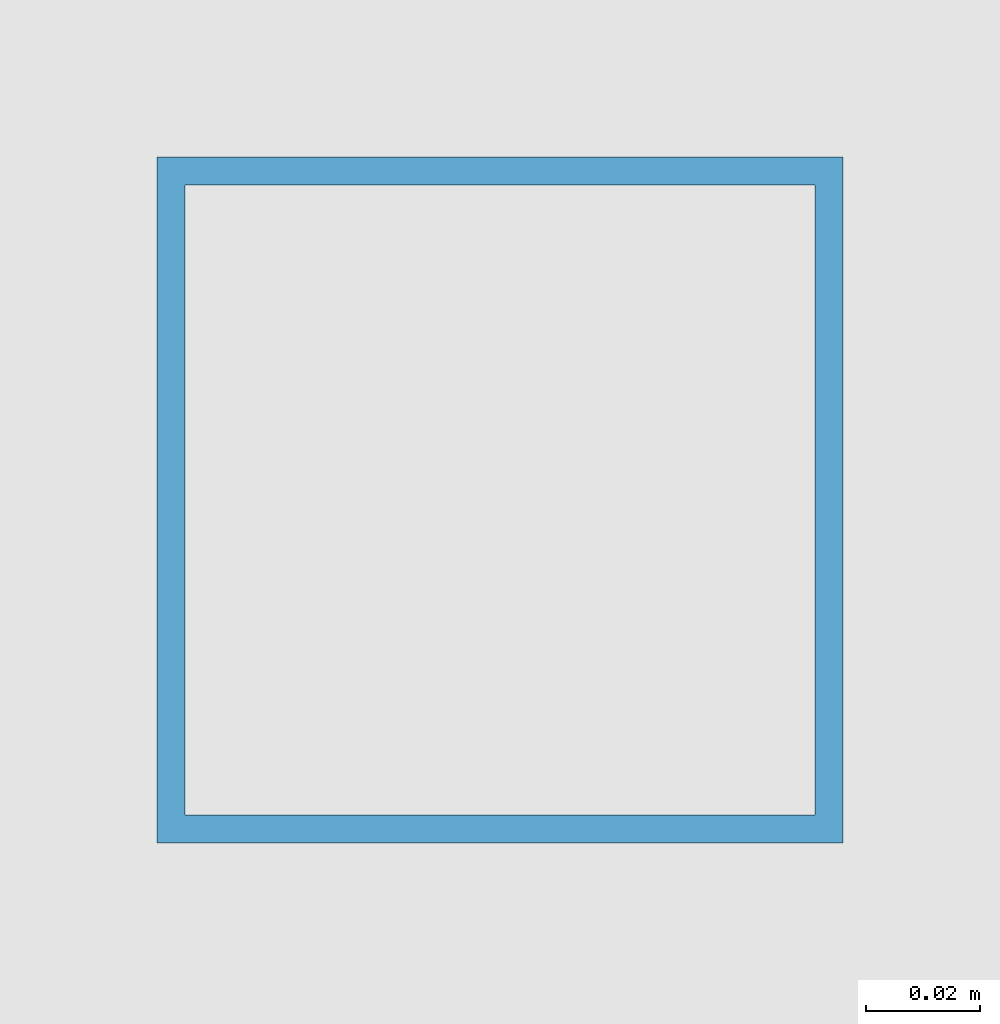
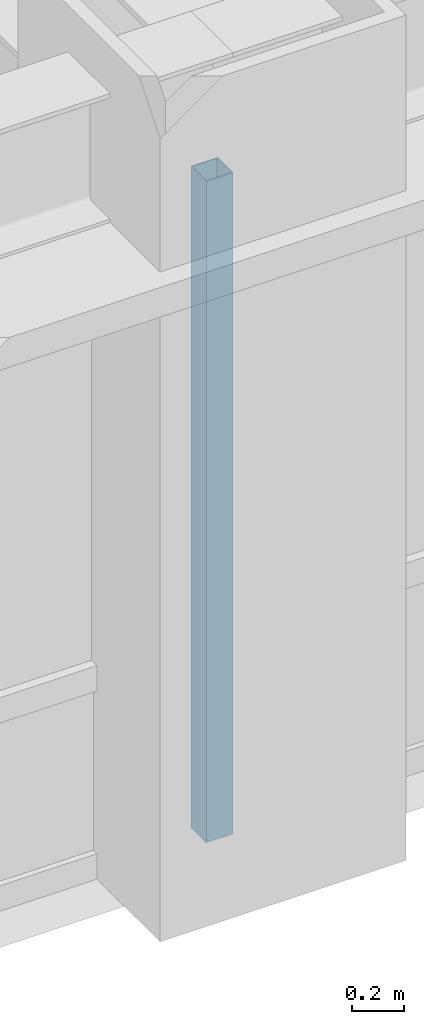
# One storey, part 4 of 28: 1 member, 1 element without a shape of its own.
"""IFC4 building model written with IfcOpenShell, lengths in metres."""

import ifcopenshell
import ifcopenshell.guid

model = None  # the IFC model being written
_history = None  # IfcOwnerHistory: only IFC2X3 demands one
_inside = {}  # id of a spatial element -> (the spatial element, [elements in it])
_under = {}  # id of a project, library or spatial element -> (it, [spatial elements below it])
_declared = {}  # id of a project -> (the project, [libraries it declares])
_typed = {}  # id of a type object -> (the type object, [elements of that type])
_made_of = {}  # id of a material, layer set ... -> (it, [elements and type objects made of it])


def new_model(schema):
    """Start an empty IFC model of exactly this schema.

    Asked for "IFC4X3", IfcOpenShell would pick the latest addendum, in which some entities
    have other attributes; the version numbers below select the first issue.
    IFC2X3 requires an IfcOwnerHistory on every rooted entity: one is made here for all.
    """
    global model, _history
    if schema == "IFC4X3":
        model = ifcopenshell.file(schema_version=(4, 3, 0, 0))
    else:
        model = ifcopenshell.file(schema=schema)
    _inside.clear()
    _under.clear()
    _declared.clear()
    _typed.clear()
    _made_of.clear()
    _history = None
    if model.schema == "IFC2X3":
        org = make("IfcOrganization", Name="unknown")
        user = make(
            "IfcPersonAndOrganization",
            ThePerson=make("IfcPerson", FamilyName="unknown"),
            TheOrganization=org,
        )
        app = make(
            "IfcApplication",
            ApplicationDeveloper=org,
            Version="unknown",
            ApplicationFullName="unknown",
            ApplicationIdentifier="unknown",
        )
        _history = make(
            "IfcOwnerHistory",
            OwningUser=user,
            OwningApplication=app,
            ChangeAction="ADDED",
            CreationDate=0,
        )
    return model


def make(cls, **values):
    """One entity of the class cls with the attributes given. An attribute that is None is left unset."""
    return model.create_entity(
        cls, **{name: value for name, value in values.items() if value is not None}
    )


def rooted(cls, **values):
    """An entity with a GlobalId (a new one), such as an element, a storey or a relation."""
    return make(cls, GlobalId=ifcopenshell.guid.new(), OwnerHistory=_history, **values)


def si_unit(unit_type, name, prefix=None):
    """IfcSIUnit, for example si_unit("LENGTHUNIT", "METRE", prefix="MILLI")."""
    return make("IfcSIUnit", UnitType=unit_type, Prefix=prefix, Name=name)


def assignment(units):
    """IfcUnitAssignment: the units of a project."""
    return None if units is None else make("IfcUnitAssignment", Units=units)


def point(xyz):
    """IfcCartesianPoint."""
    return None if xyz is None else make("IfcCartesianPoint", Coordinates=xyz)


def direction(xyz):
    """IfcDirection."""
    return None if xyz is None else make("IfcDirection", DirectionRatios=xyz)


def frame(location, z_axis=None, x_axis=None):
    """IfcAxis2Placement3D, a coordinate frame: its origin and axes. An axis left out is left unset."""
    return make(
        "IfcAxis2Placement3D",
        Location=point(location),
        Axis=direction(z_axis),
        RefDirection=direction(x_axis),
    )


def frame_2d(location, x_axis=None):
    """IfcAxis2Placement2D, a coordinate frame in the plane: its origin and x axis."""
    return make(
        "IfcAxis2Placement2D", Location=point(location), RefDirection=direction(x_axis)
    )


def origin():
    """The frame at (0, 0, 0) with its axes left unset."""
    return frame((0.0, 0.0, 0.0))


def origin_2d():
    """The frame at (0, 0) in the plane with its x axis left unset."""
    return frame_2d((0.0, 0.0))


def place(relative_to, where):
    """IfcLocalPlacement: puts the frame where relative to a parent placement (None: the world)."""
    return make(
        "IfcLocalPlacement", PlacementRelTo=relative_to, RelativePlacement=where
    )


def context(
    kind, dimensions, precision=None, world=None, true_north=None, identifier=None
):
    """IfcGeometricRepresentationContext, for example the 3D "Model" context."""
    return make(
        "IfcGeometricRepresentationContext",
        ContextIdentifier=identifier,
        ContextType=kind,
        CoordinateSpaceDimension=dimensions,
        Precision=precision,
        WorldCoordinateSystem=world,
        TrueNorth=true_north,
    )


def subcontext(parent, identifier, kind, view, scale=None):
    """IfcGeometricRepresentationSubContext, for example "Body" below "Model"."""
    return make(
        "IfcGeometricRepresentationSubContext",
        ContextIdentifier=identifier,
        ContextType=kind,
        ParentContext=parent,
        TargetScale=scale,
        TargetView=view,
    )


def project(units=None, contexts=None):
    """IfcProject with its units and contexts."""
    return rooted(
        "IfcProject",
        Name="project",
        RepresentationContexts=contexts,
        UnitsInContext=assignment(units),
    )


def spatial(cls, under=None, at=None, **own):
    """A site, building, storey or space (cls), placed at a placement, below another one or the project."""
    s = rooted(cls, ObjectPlacement=at, **own)
    if under is not None:
        _under.setdefault(under.id(), (under, []))[1].append(s)
    return s


def profile(cls, at=None, kind="AREA", **sizes):
    """A parametric profile (cls). Its sizes go by their IFC names, for example OverallWidth=200.0."""
    return make(cls, ProfileType=kind, Position=at, **sizes)


def hollow_rectangle(**sizes):
    """IfcRectangleHollowProfileDef."""
    return profile("IfcRectangleHollowProfileDef", **sizes)


def extrude(swept, where, along, depth):
    """IfcExtrudedAreaSolid: the profile swept, set in the frame where, extruded along a direction by depth."""
    return make(
        "IfcExtrudedAreaSolid",
        SweptArea=swept,
        Position=where,
        ExtrudedDirection=direction(along),
        Depth=depth,
    )


def shape(context_of_items, identifier, shape_type, items):
    """IfcShapeRepresentation: the items that make up one representation, for example the "Body"."""
    return make(
        "IfcShapeRepresentation",
        ContextOfItems=context_of_items,
        RepresentationIdentifier=identifier,
        RepresentationType=shape_type,
        Items=items,
    )


def source(mapping_origin, context_of_items, identifier, shape_type, items):
    """IfcRepresentationMap: a shape defined once, which mapped items show again and again."""
    return make(
        "IfcRepresentationMap",
        MappingOrigin=mapping_origin,
        MappedRepresentation=shape(context_of_items, identifier, shape_type, items),
    )


def transform(
    local_origin,
    x_axis=None,
    y_axis=None,
    z_axis=None,
    scale=None,
    scale2=None,
    scale3=None,
    uniform=True,
):
    """IfcCartesianTransformationOperator3D, or its non-uniform kind. x_axis, y_axis, z_axis: its Axis1, 2, 3."""
    if uniform:
        return make(
            "IfcCartesianTransformationOperator3D",
            Axis1=direction(x_axis),
            Axis2=direction(y_axis),
            LocalOrigin=point(local_origin),
            Scale=scale,
            Axis3=direction(z_axis),
        )
    return make(
        "IfcCartesianTransformationOperator3DnonUniform",
        Axis1=direction(x_axis),
        Axis2=direction(y_axis),
        LocalOrigin=point(local_origin),
        Scale=scale,
        Axis3=direction(z_axis),
        Scale2=scale2,
        Scale3=scale3,
    )


def mapped(mapping_source, mapping_target):
    """IfcMappedItem: shows the shape of a source again, moved by a transform."""
    return make(
        "IfcMappedItem", MappingSource=mapping_source, MappingTarget=mapping_target
    )


def material(Name=None, Category=None):
    """IfcMaterial."""
    return make("IfcMaterial", Name=Name, Category=Category)


def material_profile(
    of_material, cross_section, Name=None, Category=None, Priority=None
):
    """IfcMaterialProfile: a cross section and its material."""
    return make(
        "IfcMaterialProfile",
        Name=Name,
        Material=of_material,
        Profile=cross_section,
        Priority=Priority,
        Category=Category,
    )


def profile_set(profiles, Name=None, composite=None):
    """IfcMaterialProfileSet."""
    return make(
        "IfcMaterialProfileSet",
        Name=Name,
        MaterialProfiles=profiles,
        CompositeProfile=composite,
    )


def made_of(thing, what):
    """Note that an element or type object is made of a material, layer set ...; save() writes the relation."""
    if what is not None:
        _made_of.setdefault(what.id(), (what, []))[1].append(thing)
    return thing


def type_object(cls, material=None, **own):
    """A type object (cls), such as IfcWallType, which elements share."""
    return made_of(rooted(cls, **own), material)


def element(
    cls,
    number,
    at=None,
    inside=None,
    cuts=None,
    type_object=None,
    material=None,
    context=None,
    identifier="Body",
    shape_type=None,
    held_by="IfcProductDefinitionShape",
    body=None,
    shapes=None,
    **own,
):
    """One element of the class cls, such as IfcWall. Its Tag is "e" and its number.

    at: its placement. inside: the storey or other place that contains it. cuts: it is an
    opening in that element (IfcRelVoidsElement). A single representation is given by context,
    identifier, shape_type and body (its items); several are given by shapes. held_by: the class
    of the entity that holds the representations. save() writes the other relations.
    """
    e = rooted(cls, Tag="e%d" % number, ObjectPlacement=at, **own)
    if body is not None:
        shapes = [shape(context, identifier, shape_type, body)]
    if shapes is not None:
        e.Representation = make(held_by, Representations=shapes)
    if inside is not None:
        _inside.setdefault(inside.id(), (inside, []))[1].append(e)
    if cuts is not None:
        rooted(
            "IfcRelVoidsElement", RelatingBuildingElement=cuts, RelatedOpeningElement=e
        )
    if type_object is not None:
        _typed.setdefault(type_object.id(), (type_object, []))[1].append(e)
    return made_of(e, material)


def aggregate(whole, parts):
    """IfcRelAggregates: a whole, such as a stair, and the parts it consists of."""
    return rooted("IfcRelAggregates", RelatingObject=whole, RelatedObjects=parts)


def save(model, path):
    """Write the relations noted so far, then the file.

    IfcRelAggregates (storeys below a building ...), IfcRelContainedInSpatialStructure (elements
    in a storey), IfcRelDefinesByType, IfcRelAssociatesMaterial and IfcRelDeclares: one each for
    every whole, place, type object, material and project.
    """
    for whole, parts in _under.values():
        aggregate(whole, parts)
    for where, things in _inside.values():
        rooted(
            "IfcRelContainedInSpatialStructure",
            RelatedElements=things,
            RelatingStructure=where,
        )
    for kind, things in _typed.values():
        rooted("IfcRelDefinesByType", RelatedObjects=things, RelatingType=kind)
    for what, things in _made_of.values():
        rooted("IfcRelAssociatesMaterial", RelatedObjects=things, RelatingMaterial=what)
    for by, libraries in _declared.values():
        rooted("IfcRelDeclares", RelatingContext=by, RelatedDefinitions=libraries)
    model.write(path)


model = new_model("IFC4")

# Units and contexts
model_context = context("Model", 3, precision=1e-05, world=origin(), true_north=direction((0.0, 1.0)))
body_context = subcontext(model_context, "Body", "Model", "MODEL_VIEW")
ifc_project = project(units=[si_unit("LENGTHUNIT", "METRE"), si_unit("AREAUNIT", "SQUARE_METRE"), si_unit("VOLUMEUNIT", "CUBIC_METRE"), si_unit("PLANEANGLEUNIT", "RADIAN"), si_unit("MASSUNIT", "GRAM", prefix="KILO")], contexts=[model_context])

# Site, building, storey
site_placement = place(None, origin())
site = spatial("IfcSite", under=ifc_project, at=site_placement, CompositionType="ELEMENT")
building_placement = place(site_placement, origin())
building = spatial("IfcBuilding", under=site, at=building_placement, Name="Khorayat Bourse Tower", CompositionType="ELEMENT")
storey_placement = place(building_placement, frame((0.0, 0.0, 187.10009765625)))
storey = spatial("IfcBuildingStorey", under=building, at=storey_placement, Name="L43", CompositionType="ELEMENT", Elevation=187.10009765625)

# Curtain wall, member
ifc_material = material(Name="Aluminium EN AW-6063 T6", Category="aluminium")
curtain_wall_type = type_object("IfcCurtainWallType", Name="CW-SYS-03", PredefinedType="NOTDEFINED", material=ifc_material)
curtain_wall_placement = place(storey_placement, origin())
curtain_wall = element("IfcCurtainWall", 1, at=curtain_wall_placement, inside=storey, type_object=curtain_wall_type, Name="L43 Curtain Wall CW-L43-S1", PredefinedType="NOTDEFINED")
ifc_material_profile = material_profile(ifc_material, hollow_rectangle(XDim=0.1201171875, YDim=0.1201171875, WallThickness=0.0048828125, at=origin_2d()), Name="ALU 120x120x5")
ifc_profile_set = profile_set([ifc_material_profile], Name="Aluminium EN AW-6063 T6")
member_type = type_object("IfcMemberType", Name="CWM-VERT-120", PredefinedType="MULLION", material=ifc_profile_set)
shared_shape = source(origin(), body_context, "Body", "SweptSolid", [
    extrude(hollow_rectangle(XDim=0.1201171875, YDim=0.1201171875, WallThickness=0.0048828125, at=origin_2d()), origin(), (0.0, 0.0, 1.0), 3.1298828125),
])
member_placement = place(storey_placement, frame((0.0, -30.0, 0.0), z_axis=(0.0, 0.0, 1.0), x_axis=(0.0, 1.0, 0.0)))
member = element("IfcMember", 2, at=member_placement, type_object=member_type, Name="CW-L43-S1 Vertical Mullion 2", PredefinedType="MULLION", context=body_context, shape_type="MappedRepresentation", body=[
    mapped(shared_shape, transform((0.0, 0.0, 0.0), scale=1.0)),
])
aggregate(curtain_wall, [member])

save(model, "model.ifc")
